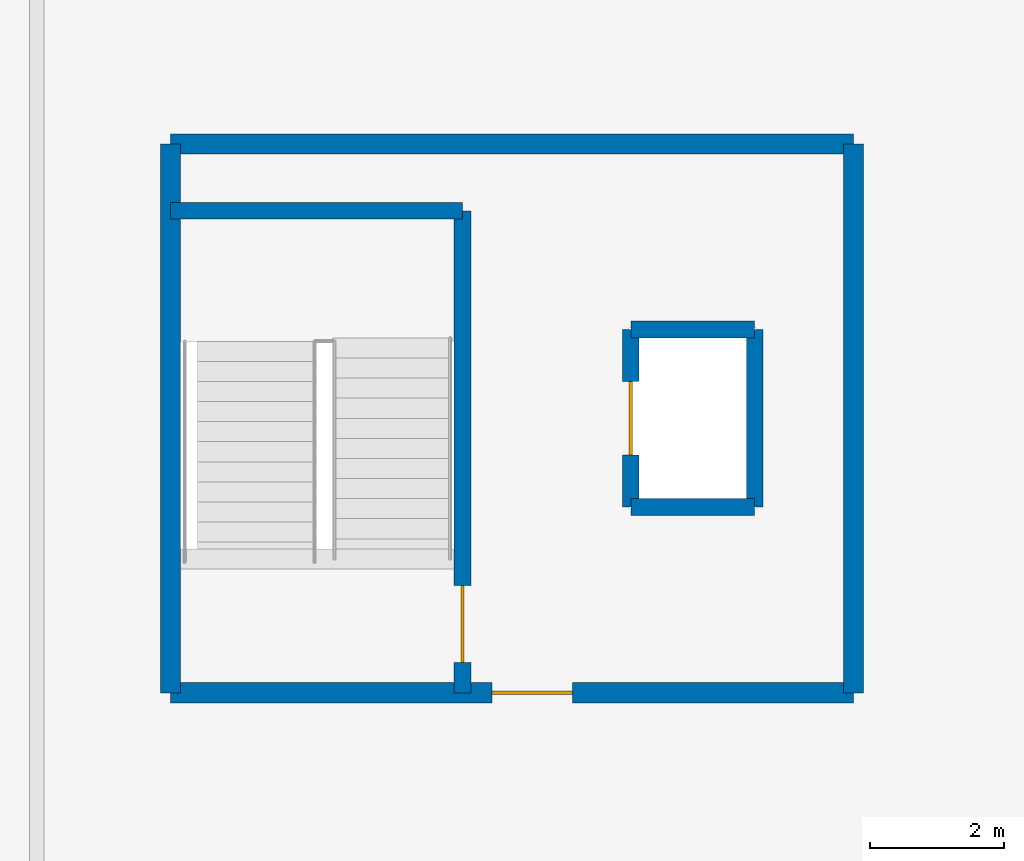
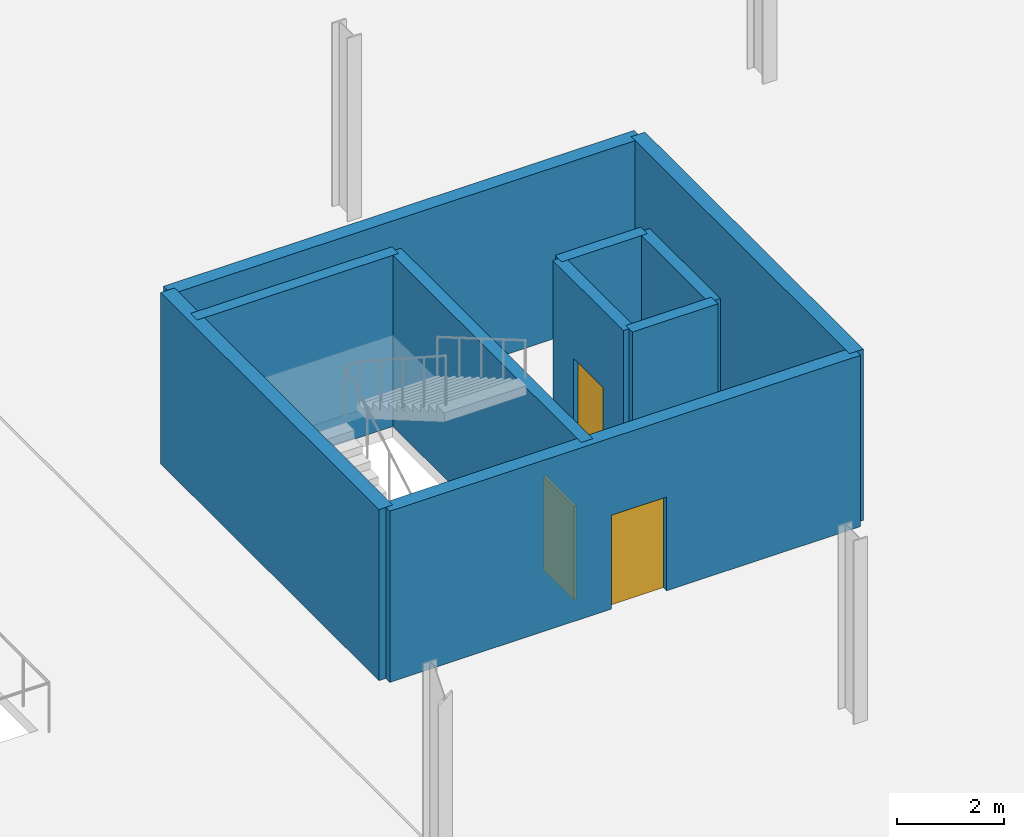
# One storey, part 85 of 103: 10 walls, 3 doors, 3 openings.
"""IFC4 building model written with IfcOpenShell, lengths in metres."""

from ifc_helpers import new_model, si_unit, direction, frame, frame_2d, origin, place, context, subcontext, project, spatial, rectangle, extrude, material, layer, layer_set, type_object, element, fill, save


model = new_model("IFC4")

# Units and contexts
model_context = context("Model", 3, precision=1e-05, world=origin(), true_north=direction((0.0, 1.0)))
body_context = subcontext(model_context, "Body", "Model", "MODEL_VIEW")
ifc_project = project(units=[si_unit("LENGTHUNIT", "METRE"), si_unit("AREAUNIT", "SQUARE_METRE"), si_unit("VOLUMEUNIT", "CUBIC_METRE"), si_unit("PLANEANGLEUNIT", "RADIAN"), si_unit("MASSUNIT", "GRAM", prefix="KILO")], contexts=[model_context])

# Site, building, storey
site_placement = place(None, origin())
site = spatial("IfcSite", under=ifc_project, at=site_placement, CompositionType="ELEMENT")
building_placement = place(site_placement, origin())
building = spatial("IfcBuilding", under=site, at=building_placement, Name="Deido Ridge Mobility Hub", CompositionType="ELEMENT")
storey_placement = place(building_placement, frame((0.0, 0.0, 12.60009765625)))
storey = spatial("IfcBuildingStorey", under=building, at=storey_placement, Name="L03", CompositionType="ELEMENT", Elevation=12.60009765625)

# Wall, opening, door
ifc_material_1 = material(Name="Concrete C40/50", Category="concrete")
ifc_layer_1 = layer(ifc_material_1, 0.25, Name="Concrete C40/50")
ifc_layer_set_1 = layer_set([ifc_layer_1], Name="Concrete C40/50")
wall_type_1 = type_object("IfcWallType", Name="WL-SHR-RC-250", PredefinedType="SHEAR", material=ifc_layer_set_1)
wall_1_placement = place(storey_placement, frame((78.360107421875, 99.39990234375, 0.0), z_axis=(0.0, 0.0, 1.0), x_axis=(0.0, 1.0, 0.0)))
wall_1 = element("IfcWall", 1, at=wall_1_placement, inside=storey, type_object=wall_type_1, Name="C5 stair shaft east wall", PredefinedType="SHEAR", context=body_context, shape_type="SweptSolid", body=[
    extrude(rectangle(XDim=7.2001953125, YDim=0.25, at=frame_2d((3.60009765625, 0.0))), origin(), (0.0, 0.0, 1.0), 3.9248046875),
])
opening_1_placement = place(wall_1_placement, frame((0.449951171875, 0.0, 0.0)))
opening_1 = element("IfcOpeningElement", 2, at=opening_1_placement, cuts=wall_1, Name="Opening FD-C5-L03", PredefinedType="OPENING", context=body_context, shape_type="SweptSolid", body=[
    extrude(rectangle(XDim=1.14990234375, YDim=2.14990234375, at=frame_2d((0.574951171875, 1.074951171875))), frame((0.0, 0.135009765625, 0.0), z_axis=(0.0, -1.0, 0.0), x_axis=(1.0, 0.0, 0.0)), (0.0, 0.0, 1.0), 0.27001953125),
])
ifc_material_2 = material(Name="Galvanised steel work", Category="steel")
door_type_1 = type_object("IfcDoorType", Name="DR-FD60-1150X2150", OperationType="NOTDEFINED", PredefinedType="DOOR", material=ifc_material_2)
door_1_placement = place(opening_1_placement, origin())
door_1 = element("IfcDoor", 3, at=door_1_placement, inside=storey, type_object=door_type_1, Name="DR-I0112 C5 protected stair door (L03)", OperationType="SINGLE_SWING_LEFT", OverallHeight=2.14990234375, OverallWidth=1.14990234375, PredefinedType="DOOR", context=body_context, shape_type="SweptSolid", body=[
    extrude(rectangle(XDim=1.14990234375, YDim=2.14990234375, at=frame_2d((0.574951171875, 1.074951171875))), frame((0.0, 0.02490234375, 0.0), z_axis=(0.0, -1.0, 0.0), x_axis=(1.0, 0.0, 0.0)), (0.0, 0.0, 1.0), 0.050048828125),
])
fill(opening_1, door_1)

# Walls
wall_2_placement = place(storey_placement, frame((74.0, 106.60009765625, 0.0), z_axis=(0.0, 0.0, 1.0), x_axis=(1.0, 0.0, 0.0)))
element("IfcWall", 4, at=wall_2_placement, inside=storey, type_object=wall_type_1, Name="C5 stair shaft north wall", PredefinedType="SHEAR", context=body_context, shape_type="SweptSolid", body=[
    extrude(rectangle(XDim=4.360107421875, YDim=0.25, at=frame_2d((2.18017578125, 0.0))), origin(), (0.0, 0.0, 1.0), 3.9248046875),
])
for number, where, z_axis, x_axis, name in (
    (5, (80.875, 102.175048828125, 0.0), (0.0, 0.0, 1.0), (1.0, 0.0, 0.0), "Lift PL3 south shaft wall"),
    (6, (80.875, 104.824951171875, 0.0), (0.0, 0.0, 1.0), (1.0, 0.0, 0.0), "Lift PL3 north shaft wall"),
):
    element("IfcWall", number, at=place(storey_placement, frame(where, z_axis=z_axis, x_axis=x_axis)), inside=storey, type_object=wall_type_1, Name=name, PredefinedType="SHEAR", context=body_context, shape_type="SweptSolid", body=[
        extrude(rectangle(XDim=1.85009765625, YDim=0.25, at=frame_2d((0.925048828125, 0.0))), origin(), (0.0, 0.0, 1.0), 3.9248046875),
    ])
wall_3_placement = place(storey_placement, frame((82.72509765625, 102.175048828125, 0.0), z_axis=(0.0, 0.0, 1.0), x_axis=(0.0, 1.0, 0.0)))
element("IfcWall", 7, at=wall_3_placement, inside=storey, type_object=wall_type_1, Name="Lift PL3 rear shaft wall", PredefinedType="SHEAR", context=body_context, shape_type="SweptSolid", body=[
    extrude(rectangle(XDim=2.64990234375, YDim=0.25, at=frame_2d((1.324951171875, 0.0))), origin(), (0.0, 0.0, 1.0), 3.9248046875),
])

# Wall, opening, door
wall_4_placement = place(storey_placement, frame((80.875, 102.175048828125, 0.0), z_axis=(0.0, 0.0, 1.0), x_axis=(0.0, 1.0, 0.0)))
wall_4 = element("IfcWall", 8, at=wall_4_placement, inside=storey, type_object=wall_type_1, Name="Lift PL3 landing wall", PredefinedType="SHEAR", context=body_context, shape_type="SweptSolid", body=[
    extrude(rectangle(XDim=2.64990234375, YDim=0.25, at=frame_2d((1.324951171875, 0.0))), origin(), (0.0, 0.0, 1.0), 3.9248046875),
])
opening_2_placement = place(wall_4_placement, frame((0.77490234375, 0.0, 0.0)))
opening_2 = element("IfcOpeningElement", 9, at=opening_2_placement, cuts=wall_4, Name="Opening LD-PL3", PredefinedType="OPENING", context=body_context, shape_type="SweptSolid", body=[
    extrude(rectangle(XDim=1.10009765625, YDim=2.14990234375, at=frame_2d((0.550048828125, 1.074951171875))), frame((0.0, 0.135009765625, 0.0), z_axis=(0.0, -1.0, 0.0), x_axis=(1.0, 0.0, 0.0)), (0.0, 0.0, 1.0), 0.27001953125),
])
ifc_material_3 = material(Name="Stainless steel 316", Category="steel")
door_type_2 = type_object("IfcDoorType", Name="DR-LND-PAS-1100X2150", OperationType="DOUBLE_DOOR_SLIDING", PredefinedType="USERDEFINED", material=ifc_material_3)
door_2_placement = place(opening_2_placement, origin())
door_2 = element("IfcDoor", 10, at=door_2_placement, inside=storey, type_object=door_type_2, Name="DR-I0114 Lift PL3 sliding landing door (L03)", ObjectType="LANDING DOOR", OperationType="DOUBLE_DOOR_SLIDING", OverallHeight=2.14990234375, OverallWidth=1.10009765625, PredefinedType="USERDEFINED", context=body_context, shape_type="SweptSolid", body=[
    extrude(rectangle(XDim=1.10009765625, YDim=2.14990234375, at=frame_2d((0.550048828125, 1.074951171875))), frame((0.0, 0.02490234375, 0.0), z_axis=(0.0, -1.0, 0.0), x_axis=(1.0, 0.0, 0.0)), (0.0, 0.0, 1.0), 0.050048828125),
])
fill(opening_2, door_2)

ifc_layer_2 = layer(ifc_material_1, 0.300048828125, Name="Concrete C40/50")
ifc_layer_set_2 = layer_set([ifc_layer_2], Name="Concrete C40/50")
wall_type_2 = type_object("IfcWallType", Name="WL-SHR-RC-300", PredefinedType="SHEAR", material=ifc_layer_set_2)
wall_5_placement = place(storey_placement, frame((74.0, 99.39990234375, 0.0), z_axis=(0.0, 0.0, 1.0), x_axis=(1.0, 0.0, 0.0)))
wall_5 = element("IfcWall", 11, at=wall_5_placement, inside=storey, type_object=wall_type_2, Name="C5 south shear wall", PredefinedType="SHEAR", context=body_context, shape_type="SweptSolid", body=[
    extrude(rectangle(XDim=10.199951171875, YDim=0.300048828125, at=frame_2d((5.10009765625, 0.0))), origin(), (0.0, 0.0, 1.0), 3.9248046875),
])
opening_3_placement = place(wall_5_placement, frame((4.800048828125, 0.0, 0.0)))
opening_3 = element("IfcOpeningElement", 12, at=opening_3_placement, cuts=wall_5, Name="Opening LD-C5-113", PredefinedType="OPENING", context=body_context, shape_type="SweptSolid", body=[
    extrude(rectangle(XDim=1.199951171875, YDim=2.14990234375, at=frame_2d((0.60009765625, 1.074951171875))), frame((0.0, 0.16015625, 0.0), z_axis=(0.0, -1.0, 0.0), x_axis=(1.0, 0.0, 0.0)), (0.0, 0.0, 1.0), 0.320068359375),
])
door_type_3 = type_object("IfcDoorType", Name="DR-FD60-1200X2150", OperationType="NOTDEFINED", PredefinedType="DOOR", material=ifc_material_2)
door_3_placement = place(opening_3_placement, origin())
door_3 = element("IfcDoor", 13, at=door_3_placement, inside=storey, type_object=door_type_3, Name="DR-I0113 C5 lift lobby door (L03)", OperationType="SINGLE_SWING_RIGHT", OverallHeight=2.14990234375, OverallWidth=1.199951171875, PredefinedType="DOOR", context=body_context, shape_type="SweptSolid", body=[
    extrude(rectangle(XDim=1.199951171875, YDim=2.14990234375, at=frame_2d((0.60009765625, 1.074951171875))), frame((0.0, 0.02490234375, 0.0), z_axis=(0.0, -1.0, 0.0), x_axis=(1.0, 0.0, 0.0)), (0.0, 0.0, 1.0), 0.050048828125),
])
fill(opening_3, door_3)

# Walls
wall_6_placement = place(storey_placement, frame((84.199951171875, 99.39990234375, 0.0), z_axis=(0.0, 0.0, 1.0), x_axis=(0.0, 1.0, 0.0)))
element("IfcWall", 14, at=wall_6_placement, inside=storey, type_object=wall_type_2, Name="C5 east shear wall", PredefinedType="SHEAR", context=body_context, shape_type="SweptSolid", body=[
    extrude(rectangle(XDim=8.2001953125, YDim=0.300048828125, at=frame_2d((4.10009765625, 0.0))), origin(), (0.0, 0.0, 1.0), 3.9248046875),
])
wall_7_placement = place(storey_placement, frame((84.199951171875, 107.60009765625, 0.0), z_axis=(0.0, 0.0, 1.0), x_axis=(-1.0, 0.0, 0.0)))
element("IfcWall", 15, at=wall_7_placement, inside=storey, type_object=wall_type_2, Name="C5 north shear wall", PredefinedType="SHEAR", context=body_context, shape_type="SweptSolid", body=[
    extrude(rectangle(XDim=10.199951171875, YDim=0.300048828125, at=frame_2d((5.10009765625, 0.0))), origin(), (0.0, 0.0, 1.0), 3.9248046875),
])
wall_8_placement = place(storey_placement, frame((74.0, 107.60009765625, 0.0), z_axis=(0.0, 0.0, 1.0), x_axis=(0.0, -1.0, 0.0)))
element("IfcWall", 16, at=wall_8_placement, inside=storey, type_object=wall_type_2, Name="C5 west shear wall", PredefinedType="SHEAR", context=body_context, shape_type="SweptSolid", body=[
    extrude(rectangle(XDim=8.2001953125, YDim=0.300048828125, at=frame_2d((4.10009765625, 0.0))), origin(), (0.0, 0.0, 1.0), 3.9248046875),
])

save(model, "model.ifc")
